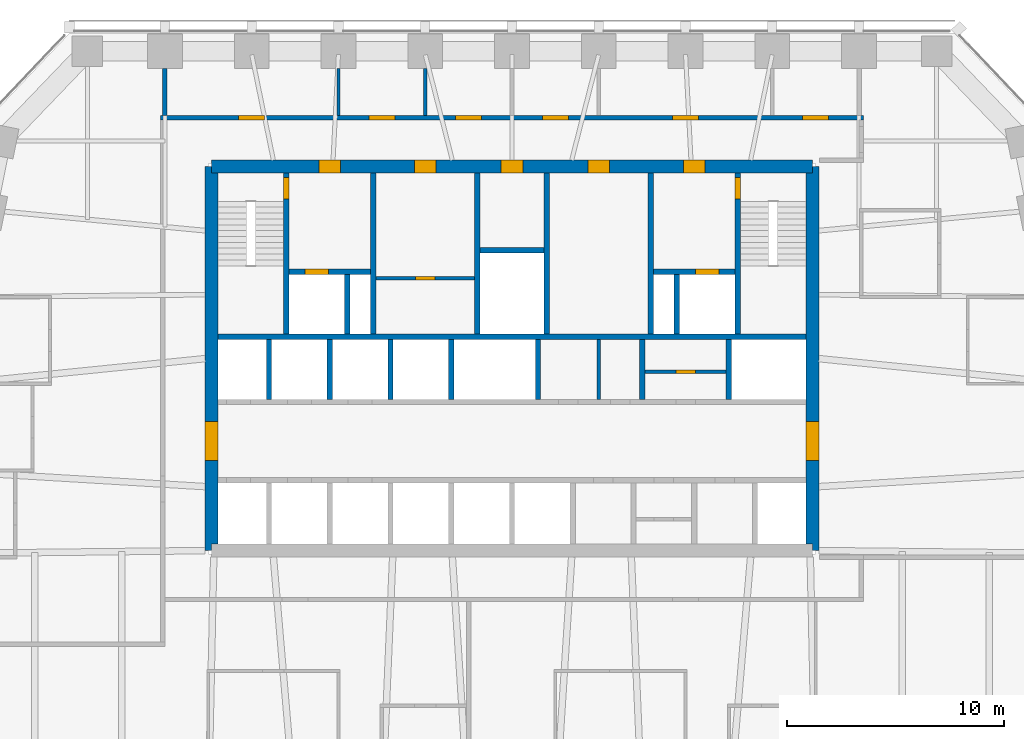
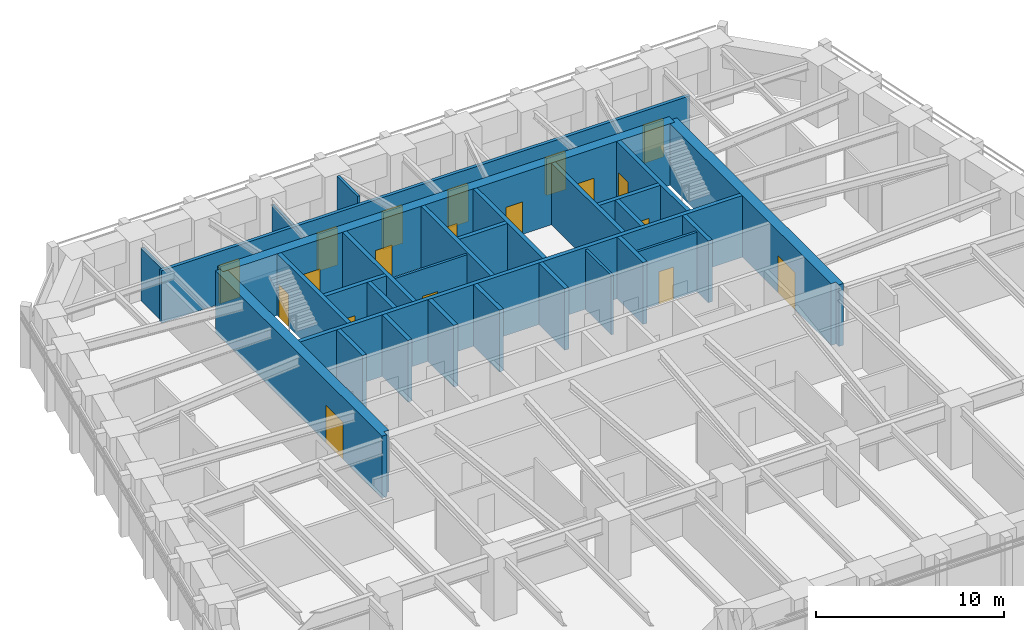
# One storey, part 7 of 10: 29 walls, 19 doors, 19 openings.
"""IFC4 building model written with IfcOpenShell, lengths in metres."""

from ifc_helpers import new_model, si_unit, direction, frame, frame_2d, origin, place, context, subcontext, project, spatial, polyline, rectangle, outline, extrude, material, layer, layer_set, type_object, element, fill, save


model = new_model("IFC4")

# Units and contexts
model_context = context("Model", 3, precision=1e-05, world=origin(), true_north=direction((0.0, 1.0)))
body_context = subcontext(model_context, "Body", "Model", "MODEL_VIEW")
ifc_project = project(units=[si_unit("LENGTHUNIT", "METRE"), si_unit("AREAUNIT", "SQUARE_METRE"), si_unit("VOLUMEUNIT", "CUBIC_METRE"), si_unit("PLANEANGLEUNIT", "RADIAN"), si_unit("MASSUNIT", "GRAM", prefix="KILO")], contexts=[model_context])

# Site, building, storey
site_placement = place(None, origin())
site = spatial("IfcSite", under=ifc_project, at=site_placement, CompositionType="ELEMENT")
building_placement = place(site_placement, origin())
building = spatial("IfcBuilding", under=site, at=building_placement, Name="Isbrekke Arena Tower", CompositionType="ELEMENT")
storey_placement = place(building_placement, frame((0.0, 0.0, 230.0)))
storey = spatial("IfcBuildingStorey", under=building, at=storey_placement, Name="L53", CompositionType="ELEMENT", Elevation=230.0)

# Wall, opening, door
ifc_material_1 = material(Name="Concrete B55 (C55/67)", Category="concrete")
ifc_layer_1 = layer(ifc_material_1, 0.60009765625)
ifc_layer_set_1 = layer_set([ifc_layer_1], Name="CW4 CORE WALL 600")
wall_type_1 = type_object("IfcWallType", Name="CW4 CORE WALL 600", PredefinedType="SHEAR", material=ifc_layer_set_1)
wall_1_placement = place(storey_placement, frame((13.85009765625, 6.14990234375, 0.0), z_axis=(0.0, 0.0, 1.0), x_axis=(0.0, 1.0, 0.0)))
wall_1 = element("IfcWall", 1, at=wall_1_placement, inside=storey, type_object=wall_type_1, Name="Core wall E L53", PredefinedType="SHEAR", context=body_context, shape_type="SweptSolid", body=[
    extrude(outline(polyline([(0.0, -0.300048828125), (17.7001953125, -0.300048828125), (17.7001953125, 0.0), (17.400146484375, 0.0), (17.400146484375, 0.300048828125), (0.300048828125, 0.300048828125), (0.300048828125, 0.0), (0.0, 0.0), (0.0, -0.300048828125)])), origin(), (0.0, 0.0, 1.0), 4.0),
])
opening_1_placement = place(wall_1_placement, frame((4.14990234375, 0.0, 0.0)))
opening_1 = element("IfcOpeningElement", 2, at=opening_1_placement, cuts=wall_1, Name="Opening D1", PredefinedType="OPENING", context=body_context, shape_type="SweptSolid", body=[
    extrude(rectangle(XDim=1.800048828125, YDim=2.39990234375, at=frame_2d((0.89990234375, 1.199951171875))), frame((0.0, 0.31494140625, 0.0), z_axis=(0.0, -1.0, 0.0), x_axis=(1.0, 0.0, 0.0)), (0.0, 0.0, 1.0), 0.6298828125),
])
ifc_material_2 = material(Name="Steel-framed glazed fire door", Category="steel")
door_type_1 = type_object("IfcDoorType", Name="D1 CORE LOBBY DOOR 1800 x 2400", OperationType="DOUBLE_DOOR_SINGLE_SWING", PredefinedType="DOOR", material=ifc_material_2)
door_1_placement = place(opening_1_placement, origin())
door_1 = element("IfcDoor", 3, at=door_1_placement, inside=storey, type_object=door_type_1, Name="D1 lift lobby door east L53", OperationType="DOUBLE_DOOR_SINGLE_SWING", OverallHeight=2.39990234375, OverallWidth=1.800048828125, PredefinedType="DOOR", context=body_context, shape_type="SweptSolid", body=[
    extrude(rectangle(XDim=1.800048828125, YDim=2.39990234375, at=frame_2d((0.89990234375, 1.199951171875))), frame((0.0, 0.2998046875, 0.0), z_axis=(0.0, -1.0, 0.0), x_axis=(1.0, 0.0, 0.0)), (0.0, 0.0, 1.0), 0.599609375),
])
fill(opening_1, door_1)

# Wall, openings, doors
wall_2_placement = place(storey_placement, frame((13.85009765625, 23.85009765625, 0.0), z_axis=(0.0, 0.0, 1.0), x_axis=(-1.0, 0.0, 0.0)))
wall_2 = element("IfcWall", 4, at=wall_2_placement, inside=storey, type_object=wall_type_1, Name="Core wall N L53", PredefinedType="SHEAR", context=body_context, shape_type="SweptSolid", body=[
    extrude(rectangle(XDim=27.7001953125, YDim=0.60009765625, at=frame_2d((13.85009765625, 0.0))), origin(), (0.0, 0.0, 1.0), 4.0),
])
opening_2_placement = place(wall_2_placement, frame((21.75, 0.0, 0.0)))
opening_2 = element("IfcOpeningElement", 5, at=opening_2_placement, cuts=wall_2, Name="Opening D3", PredefinedType="OPENING", context=body_context, shape_type="SweptSolid", body=[
    extrude(rectangle(XDim=1.0, YDim=2.10009765625, at=frame_2d((0.5, 1.050048828125))), frame((0.0, 0.31494140625, 0.0), z_axis=(0.0, -1.0, 0.0), x_axis=(1.0, 0.0, 0.0)), (0.0, 0.0, 1.0), 0.6298828125),
])
opening_3_placement = place(wall_2_placement, frame((4.949951171875, 0.0, 0.0)))
opening_3 = element("IfcOpeningElement", 6, at=opening_3_placement, cuts=wall_2, Name="Opening D3", PredefinedType="OPENING", context=body_context, shape_type="SweptSolid", body=[
    extrude(rectangle(XDim=1.0, YDim=2.10009765625, at=frame_2d((0.5, 1.050048828125))), frame((0.0, 0.31494140625, 0.0), z_axis=(0.0, -1.0, 0.0), x_axis=(1.0, 0.0, 0.0)), (0.0, 0.0, 1.0), 0.6298828125),
])
opening_4_placement = place(wall_2_placement, frame((17.35009765625, 0.0, 0.0)))
opening_4 = element("IfcOpeningElement", 7, at=opening_4_placement, cuts=wall_2, Name="Opening D4", PredefinedType="OPENING", context=body_context, shape_type="SweptSolid", body=[
    extrude(rectangle(XDim=1.0, YDim=2.10009765625, at=frame_2d((0.5, 1.050048828125))), frame((0.0, 0.31494140625, 0.0), z_axis=(0.0, -1.0, 0.0), x_axis=(1.0, 0.0, 0.0)), (0.0, 0.0, 1.0), 0.6298828125),
])
opening_5_placement = place(wall_2_placement, frame((13.35009765625, 0.0, 0.0)))
opening_5 = element("IfcOpeningElement", 8, at=opening_5_placement, cuts=wall_2, Name="Opening D4", PredefinedType="OPENING", context=body_context, shape_type="SweptSolid", body=[
    extrude(rectangle(XDim=1.0, YDim=2.10009765625, at=frame_2d((0.5, 1.050048828125))), frame((0.0, 0.31494140625, 0.0), z_axis=(0.0, -1.0, 0.0), x_axis=(1.0, 0.0, 0.0)), (0.0, 0.0, 1.0), 0.6298828125),
])
opening_6_placement = place(wall_2_placement, frame((9.35009765625, 0.0, 0.0)))
opening_6 = element("IfcOpeningElement", 9, at=opening_6_placement, cuts=wall_2, Name="Opening D4", PredefinedType="OPENING", context=body_context, shape_type="SweptSolid", body=[
    extrude(rectangle(XDim=1.0, YDim=2.10009765625, at=frame_2d((0.5, 1.050048828125))), frame((0.0, 0.31494140625, 0.0), z_axis=(0.0, -1.0, 0.0), x_axis=(1.0, 0.0, 0.0)), (0.0, 0.0, 1.0), 0.6298828125),
])
ifc_material_3 = material(Name="Steel fire door", Category="steel")
door_type_2 = type_object("IfcDoorType", Name="D3 FIRE LOBBY DOOR 1000 x 2100", OperationType="SINGLE_SWING_RIGHT", PredefinedType="DOOR", material=ifc_material_3)
door_2_placement = place(opening_2_placement, origin())
door_2 = element("IfcDoor", 10, at=door_2_placement, inside=storey, type_object=door_type_2, Name="D3 fire-fighting lobby door L53", OperationType="SINGLE_SWING_RIGHT", OverallHeight=2.10009765625, OverallWidth=1.0, PredefinedType="DOOR", context=body_context, shape_type="SweptSolid", body=[
    extrude(rectangle(XDim=1.0, YDim=2.10009765625, at=frame_2d((0.5, 1.050048828125))), frame((0.0, 0.2998046875, 0.0), z_axis=(0.0, -1.0, 0.0), x_axis=(1.0, 0.0, 0.0)), (0.0, 0.0, 1.0), 0.599609375),
])
fill(opening_2, door_2)
door_3_placement = place(opening_3_placement, origin())
door_3 = element("IfcDoor", 11, at=door_3_placement, inside=storey, type_object=door_type_2, Name="D3 fire-fighting lobby door L53", OperationType="SINGLE_SWING_RIGHT", OverallHeight=2.10009765625, OverallWidth=1.0, PredefinedType="DOOR", context=body_context, shape_type="SweptSolid", body=[
    extrude(rectangle(XDim=1.0, YDim=2.10009765625, at=frame_2d((0.5, 1.050048828125))), frame((0.0, 0.2998046875, 0.0), z_axis=(0.0, -1.0, 0.0), x_axis=(1.0, 0.0, 0.0)), (0.0, 0.0, 1.0), 0.599609375),
])
fill(opening_3, door_3)
ifc_material_4 = material(Name="Timber door", Category="wood")
door_type_3 = type_object("IfcDoorType", Name="D4 WC DOOR 1000 x 2100", OperationType="SINGLE_SWING_LEFT", PredefinedType="DOOR", material=ifc_material_4)
door_4_placement = place(opening_4_placement, origin())
door_4 = element("IfcDoor", 12, at=door_4_placement, inside=storey, type_object=door_type_3, Name="D4 wc female door L53", OperationType="SINGLE_SWING_LEFT", OverallHeight=2.10009765625, OverallWidth=1.0, PredefinedType="DOOR", context=body_context, shape_type="SweptSolid", body=[
    extrude(rectangle(XDim=1.0, YDim=2.10009765625, at=frame_2d((0.5, 1.050048828125))), frame((0.0, 0.2998046875, 0.0), z_axis=(0.0, -1.0, 0.0), x_axis=(1.0, 0.0, 0.0)), (0.0, 0.0, 1.0), 0.599609375),
])
fill(opening_4, door_4)
door_5_placement = place(opening_5_placement, origin())
door_5 = element("IfcDoor", 13, at=door_5_placement, inside=storey, type_object=door_type_3, Name="D4 accessible wc door L53", OperationType="SINGLE_SWING_LEFT", OverallHeight=2.10009765625, OverallWidth=1.0, PredefinedType="DOOR", context=body_context, shape_type="SweptSolid", body=[
    extrude(rectangle(XDim=1.0, YDim=2.10009765625, at=frame_2d((0.5, 1.050048828125))), frame((0.0, 0.2998046875, 0.0), z_axis=(0.0, -1.0, 0.0), x_axis=(1.0, 0.0, 0.0)), (0.0, 0.0, 1.0), 0.599609375),
])
fill(opening_5, door_5)
door_6_placement = place(opening_6_placement, origin())
door_6 = element("IfcDoor", 14, at=door_6_placement, inside=storey, type_object=door_type_3, Name="D4 wc male door L53", OperationType="SINGLE_SWING_LEFT", OverallHeight=2.10009765625, OverallWidth=1.0, PredefinedType="DOOR", context=body_context, shape_type="SweptSolid", body=[
    extrude(rectangle(XDim=1.0, YDim=2.10009765625, at=frame_2d((0.5, 1.050048828125))), frame((0.0, 0.2998046875, 0.0), z_axis=(0.0, -1.0, 0.0), x_axis=(1.0, 0.0, 0.0)), (0.0, 0.0, 1.0), 0.599609375),
])
fill(opening_6, door_6)

# Wall, opening, door
wall_3_placement = place(storey_placement, frame((-13.85009765625, 23.85009765625, 0.0), z_axis=(0.0, 0.0, 1.0), x_axis=(0.0, -1.0, 0.0)))
wall_3 = element("IfcWall", 15, at=wall_3_placement, inside=storey, type_object=wall_type_1, Name="Core wall W L53", PredefinedType="SHEAR", context=body_context, shape_type="SweptSolid", body=[
    extrude(outline(polyline([(0.0, -0.300048828125), (17.7001953125, -0.300048828125), (17.7001953125, 0.0), (17.400146484375, 0.0), (17.400146484375, 0.300048828125), (0.300048828125, 0.300048828125), (0.300048828125, 0.0), (0.0, 0.0), (0.0, -0.300048828125)])), origin(), (0.0, 0.0, 1.0), 4.0),
])
opening_7_placement = place(wall_3_placement, frame((11.75, 0.0, 0.0)))
opening_7 = element("IfcOpeningElement", 16, at=opening_7_placement, cuts=wall_3, Name="Opening D1", PredefinedType="OPENING", context=body_context, shape_type="SweptSolid", body=[
    extrude(rectangle(XDim=1.800048828125, YDim=2.39990234375, at=frame_2d((0.89990234375, 1.199951171875))), frame((0.0, 0.31494140625, 0.0), z_axis=(0.0, -1.0, 0.0), x_axis=(1.0, 0.0, 0.0)), (0.0, 0.0, 1.0), 0.6298828125),
])
door_7_placement = place(opening_7_placement, origin())
door_7 = element("IfcDoor", 17, at=door_7_placement, inside=storey, type_object=door_type_1, Name="D1 lift lobby door west L53", OperationType="DOUBLE_DOOR_SINGLE_SWING", OverallHeight=2.39990234375, OverallWidth=1.800048828125, PredefinedType="DOOR", context=body_context, shape_type="SweptSolid", body=[
    extrude(rectangle(XDim=1.800048828125, YDim=2.39990234375, at=frame_2d((0.89990234375, 1.199951171875))), frame((0.0, 0.2998046875, 0.0), z_axis=(0.0, -1.0, 0.0), x_axis=(1.0, 0.0, 0.0)), (0.0, 0.0, 1.0), 0.599609375),
])
fill(opening_7, door_7)

# Walls
ifc_material_5 = material(Name="Concrete B45 (C45/55)", Category="concrete")
ifc_layer_2 = layer(ifc_material_5, 0.25)
ifc_layer_set_2 = layer_set([ifc_layer_2], Name="CW6 SHAFT WALL 250")
wall_type_2 = type_object("IfcWallType", Name="CW6 SHAFT WALL 250", PredefinedType="SHEAR", material=ifc_layer_set_2)
wall_4_placement = place(storey_placement, frame((-13.550048828125, 16.0, 0.0), z_axis=(0.0, 0.0, 1.0), x_axis=(1.0, 0.0, 0.0)))
element("IfcWall", 18, at=wall_4_placement, inside=storey, type_object=wall_type_2, Name="Core wall NB L53", PredefinedType="SHEAR", context=body_context, shape_type="SweptSolid", body=[
    extrude(rectangle(XDim=27.10009765625, YDim=0.25, at=frame_2d((13.550048828125, 0.0))), origin(), (0.0, 0.0, 1.0), 4.0),
])
for number, where, z_axis, x_axis, name in (
    (19, (-11.199951171875, 13.125, 0.0), (0.0, 0.0, 1.0), (0.0, 1.0, 0.0), "Core wall SN01 L53"),
    (20, (-8.39990234375, 13.125, 0.0), (0.0, 0.0, 1.0), (0.0, 1.0, 0.0), "Core wall SN02 L53"),
    (21, (-5.60009765625, 13.125, 0.0), (0.0, 0.0, 1.0), (0.0, 1.0, 0.0), "Core wall SN03 L53"),
    (22, (-2.800048828125, 13.125, 0.0), (0.0, 0.0, 1.0), (0.0, 1.0, 0.0), "Core wall SN04 L53"),
    (23, (1.199951171875, 13.125, 0.0), (0.0, 0.0, 1.0), (0.0, 1.0, 0.0), "Core wall SN05 L53"),
    (24, (6.0, 13.125, 0.0), (0.0, 0.0, 1.0), (0.0, 1.0, 0.0), "Core wall SN06 L53"),
    (25, (10.0, 13.125, 0.0), (0.0, 0.0, 1.0), (0.0, 1.0, 0.0), "Core wall SN07 L53"),
):
    element("IfcWall", number, at=place(storey_placement, frame(where, z_axis=z_axis, x_axis=x_axis)), inside=storey, type_object=wall_type_2, Name=name, PredefinedType="SHEAR", context=body_context, shape_type="SweptSolid", body=[
        extrude(rectangle(XDim=2.75, YDim=0.25, at=frame_2d((1.375, 0.0))), origin(), (0.0, 0.0, 1.0), 4.0),
    ])

# Wall, opening, door
wall_5_placement = place(storey_placement, frame((-10.39990234375, 16.125, 0.0), z_axis=(0.0, 0.0, 1.0), x_axis=(0.0, 1.0, 0.0)))
wall_5 = element("IfcWall", 26, at=wall_5_placement, inside=storey, type_object=wall_type_2, Name="Core wall NV01 L53", PredefinedType="SHEAR", context=body_context, shape_type="SweptSolid", body=[
    extrude(rectangle(XDim=7.425048828125, YDim=0.25, at=frame_2d((3.71240234375, 0.0))), origin(), (0.0, 0.0, 1.0), 4.0),
])
opening_8_placement = place(wall_5_placement, frame((6.22509765625, 0.0, 0.0)))
opening_8 = element("IfcOpeningElement", 27, at=opening_8_placement, cuts=wall_5, Name="Opening D2", PredefinedType="OPENING", context=body_context, shape_type="SweptSolid", body=[
    extrude(rectangle(XDim=1.0, YDim=2.10009765625, at=frame_2d((0.5, 1.050048828125))), frame((0.0, 0.139892578125, 0.0), z_axis=(0.0, -1.0, 0.0), x_axis=(1.0, 0.0, 0.0)), (0.0, 0.0, 1.0), 0.27978515625),
])
ifc_material_6 = material(Name="Steel fire door", Category="steel")
door_type_4 = type_object("IfcDoorType", Name="D2 STAIR DOOR 1000 x 2100", OperationType="SINGLE_SWING_LEFT", PredefinedType="DOOR", material=ifc_material_6)
door_8_placement = place(opening_8_placement, origin())
door_8 = element("IfcDoor", 28, at=door_8_placement, inside=storey, type_object=door_type_4, Name="D2 stair door ST1 L53", OperationType="SINGLE_SWING_LEFT", OverallHeight=2.10009765625, OverallWidth=1.0, PredefinedType="DOOR", context=body_context, shape_type="SweptSolid", body=[
    extrude(rectangle(XDim=1.0, YDim=2.10009765625, at=frame_2d((0.5, 1.050048828125))), frame((0.0, 0.124755859375, 0.0), z_axis=(0.0, -1.0, 0.0), x_axis=(1.0, 0.0, 0.0)), (0.0, 0.0, 1.0), 0.24951171875),
])
fill(opening_8, door_8)

# Walls
for number, where, z_axis, x_axis, name in (
    (29, (-6.39990234375, 16.125, 0.0), (0.0, 0.0, 1.0), (0.0, 1.0, 0.0), "Core wall NV02 L53"),
    (30, (-1.60009765625, 16.125, 0.0), (0.0, 0.0, 1.0), (0.0, 1.0, 0.0), "Core wall NV03 L53"),
    (31, (1.60009765625, 16.125, 0.0), (0.0, 0.0, 1.0), (0.0, 1.0, 0.0), "Core wall NV04 L53"),
    (32, (6.39990234375, 16.125, 0.0), (0.0, 0.0, 1.0), (0.0, 1.0, 0.0), "Core wall NV05 L53"),
):
    element("IfcWall", number, at=place(storey_placement, frame(where, z_axis=z_axis, x_axis=x_axis)), inside=storey, type_object=wall_type_2, Name=name, PredefinedType="SHEAR", context=body_context, shape_type="SweptSolid", body=[
        extrude(rectangle(XDim=7.425048828125, YDim=0.25, at=frame_2d((3.71240234375, 0.0))), origin(), (0.0, 0.0, 1.0), 4.0),
    ])

# Wall, opening, door
wall_6_placement = place(storey_placement, frame((10.39990234375, 16.125, 0.0), z_axis=(0.0, 0.0, 1.0), x_axis=(0.0, 1.0, 0.0)))
wall_6 = element("IfcWall", 33, at=wall_6_placement, inside=storey, type_object=wall_type_2, Name="Core wall NV06 L53", PredefinedType="SHEAR", context=body_context, shape_type="SweptSolid", body=[
    extrude(rectangle(XDim=7.425048828125, YDim=0.25, at=frame_2d((3.71240234375, 0.0))), origin(), (0.0, 0.0, 1.0), 4.0),
])
opening_9_placement = place(wall_6_placement, frame((6.22509765625, 0.0, 0.0)))
opening_9 = element("IfcOpeningElement", 34, at=opening_9_placement, cuts=wall_6, Name="Opening D2", PredefinedType="OPENING", context=body_context, shape_type="SweptSolid", body=[
    extrude(rectangle(XDim=1.0, YDim=2.10009765625, at=frame_2d((0.5, 1.050048828125))), frame((0.0, 0.139892578125, 0.0), z_axis=(0.0, -1.0, 0.0), x_axis=(1.0, 0.0, 0.0)), (0.0, 0.0, 1.0), 0.27978515625),
])
door_9_placement = place(opening_9_placement, origin())
door_9 = element("IfcDoor", 35, at=door_9_placement, inside=storey, type_object=door_type_4, Name="D2 stair door ST2 L53", OperationType="SINGLE_SWING_LEFT", OverallHeight=2.10009765625, OverallWidth=1.0, PredefinedType="DOOR", context=body_context, shape_type="SweptSolid", body=[
    extrude(rectangle(XDim=1.0, YDim=2.10009765625, at=frame_2d((0.5, 1.050048828125))), frame((0.0, 0.124755859375, 0.0), z_axis=(0.0, -1.0, 0.0), x_axis=(1.0, 0.0, 0.0)), (0.0, 0.0, 1.0), 0.24951171875),
])
fill(opening_9, door_9)

wall_7_placement = place(storey_placement, frame((-10.27490234375, 19.0, 0.0), z_axis=(0.0, 0.0, 1.0), x_axis=(1.0, 0.0, 0.0)))
wall_7 = element("IfcWall", 36, at=wall_7_placement, inside=storey, type_object=wall_type_2, Name="Core wall NFW L53", PredefinedType="SHEAR", context=body_context, shape_type="SweptSolid", body=[
    extrude(rectangle(XDim=3.75, YDim=0.25, at=frame_2d((1.875, 0.0))), origin(), (0.0, 0.0, 1.0), 4.0),
])
opening_10_placement = place(wall_7_placement, frame((0.72509765625, 0.0, 0.0)))
opening_10 = element("IfcOpeningElement", 37, at=opening_10_placement, cuts=wall_7, Name="Opening LD2", PredefinedType="OPENING", context=body_context, shape_type="SweptSolid", body=[
    extrude(rectangle(XDim=1.10009765625, YDim=2.10009765625, at=frame_2d((0.550048828125, 1.050048828125))), frame((0.0, 0.139892578125, 0.0), z_axis=(0.0, -1.0, 0.0), x_axis=(1.0, 0.0, 0.0)), (0.0, 0.0, 1.0), 0.27978515625),
])
ifc_material_7 = material(Name="Stainless steel lift landing door", Category="steel")
door_type_5 = type_object("IfcDoorType", Name="LD2 FIRE-FIGHTING LIFT LANDING DOOR 1100 x 2100", OperationType="SLIDING_TO_RIGHT", PredefinedType="DOOR", material=ifc_material_7)
door_10_placement = place(opening_10_placement, origin())
door_10 = element("IfcDoor", 38, at=door_10_placement, inside=storey, type_object=door_type_5, Name="LD2 lift landing door LF L53", OperationType="SLIDING_TO_RIGHT", OverallHeight=2.10009765625, OverallWidth=1.10009765625, PredefinedType="DOOR", context=body_context, shape_type="SweptSolid", body=[
    extrude(rectangle(XDim=1.10009765625, YDim=2.10009765625, at=frame_2d((0.550048828125, 1.050048828125))), frame((0.0, 0.124755859375, 0.0), z_axis=(0.0, -1.0, 0.0), x_axis=(1.0, 0.0, 0.0)), (0.0, 0.0, 1.0), 0.24951171875),
])
fill(opening_10, door_10)

wall_8_placement = place(storey_placement, frame((6.52490234375, 19.0, 0.0), z_axis=(0.0, 0.0, 1.0), x_axis=(1.0, 0.0, 0.0)))
wall_8 = element("IfcWall", 39, at=wall_8_placement, inside=storey, type_object=wall_type_2, Name="Core wall NFE L53", PredefinedType="SHEAR", context=body_context, shape_type="SweptSolid", body=[
    extrude(rectangle(XDim=3.75, YDim=0.25, at=frame_2d((1.875, 0.0))), origin(), (0.0, 0.0, 1.0), 4.0),
])
opening_11_placement = place(wall_8_placement, frame((1.925048828125, 0.0, 0.0)))
opening_11 = element("IfcOpeningElement", 40, at=opening_11_placement, cuts=wall_8, Name="Opening LD2", PredefinedType="OPENING", context=body_context, shape_type="SweptSolid", body=[
    extrude(rectangle(XDim=1.10009765625, YDim=2.10009765625, at=frame_2d((0.550048828125, 1.050048828125))), frame((0.0, 0.139892578125, 0.0), z_axis=(0.0, -1.0, 0.0), x_axis=(1.0, 0.0, 0.0)), (0.0, 0.0, 1.0), 0.27978515625),
])
door_11_placement = place(opening_11_placement, origin())
door_11 = element("IfcDoor", 41, at=door_11_placement, inside=storey, type_object=door_type_5, Name="LD2 lift landing door LF L53", OperationType="SLIDING_TO_RIGHT", OverallHeight=2.10009765625, OverallWidth=1.10009765625, PredefinedType="DOOR", context=body_context, shape_type="SweptSolid", body=[
    extrude(rectangle(XDim=1.10009765625, YDim=2.10009765625, at=frame_2d((0.550048828125, 1.050048828125))), frame((0.0, 0.124755859375, 0.0), z_axis=(0.0, -1.0, 0.0), x_axis=(1.0, 0.0, 0.0)), (0.0, 0.0, 1.0), 0.24951171875),
])
fill(opening_11, door_11)

# Walls
for number, where, z_axis, x_axis, name in (
    (42, (-7.60009765625, 16.125, 0.0), (0.0, 0.0, 1.0), (0.0, 1.0, 0.0), "Core wall NFS1 L53"),
    (43, (7.60009765625, 16.125, 0.0), (0.0, 0.0, 1.0), (0.0, 1.0, 0.0), "Core wall NFS2 L53"),
):
    element("IfcWall", number, at=place(storey_placement, frame(where, z_axis=z_axis, x_axis=x_axis)), inside=storey, type_object=wall_type_2, Name=name, PredefinedType="SHEAR", context=body_context, shape_type="SweptSolid", body=[
        extrude(rectangle(XDim=2.75, YDim=0.25, at=frame_2d((1.375, 0.0))), origin(), (0.0, 0.0, 1.0), 4.0),
    ])
wall_9_placement = place(storey_placement, frame((-1.47509765625, 20.0, 0.0), z_axis=(0.0, 0.0, 1.0), x_axis=(1.0, 0.0, 0.0)))
element("IfcWall", 44, at=wall_9_placement, inside=storey, type_object=wall_type_2, Name="Core wall NWC L53", PredefinedType="SHEAR", context=body_context, shape_type="SweptSolid", body=[
    extrude(rectangle(XDim=2.9501953125, YDim=0.25, at=frame_2d((1.47509765625, 0.0))), origin(), (0.0, 0.0, 1.0), 4.0),
])
ifc_material_8 = material(Name="Gypsum board partition on steel studs", Category="steel")
ifc_layer_3 = layer(ifc_material_8, 0.14990234375)
ifc_layer_set_3 = layer_set([ifc_layer_3], Name="IW1 PARTITION 150")
wall_type_3 = type_object("IfcWallType", Name="IW1 PARTITION 150", PredefinedType="PARTITIONING", material=ifc_layer_set_3)
wall_10_placement = place(storey_placement, frame((-8.0, 26.199951171875, 0.0), z_axis=(0.0, 0.0, 1.0), x_axis=(0.0, 1.0, 0.0)))
element("IfcWall", 45, at=wall_10_placement, inside=storey, type_object=wall_type_3, Name="IW1 partition 150 L53", PredefinedType="PARTITIONING", context=body_context, shape_type="SweptSolid", body=[
    extrude(rectangle(XDim=2.175048828125, YDim=0.14990234375, at=frame_2d((1.08740234375, 0.0))), origin(), (0.0, 0.0, 1.0), 3.39990234375),
])
wall_11_placement = place(storey_placement, frame((-4.0, 26.199951171875, 0.0), z_axis=(0.0, 0.0, 1.0), x_axis=(0.0, 1.0, 0.0)))
element("IfcWall", 46, at=wall_11_placement, inside=storey, type_object=wall_type_3, Name="IW1 partition 150 L53", PredefinedType="PARTITIONING", context=body_context, shape_type="SweptSolid", body=[
    extrude(rectangle(XDim=2.175048828125, YDim=0.14990234375, at=frame_2d((1.08740234375, 0.0))), origin(), (0.0, 0.0, 1.0), 3.85009765625),
])

# Wall, openings, doors
ifc_material_9 = material(Name="Gypsum board fire-cell wall on steel studs, two layers each side", Category="steel")
ifc_layer_4 = layer(ifc_material_9, 0.199951171875)
ifc_layer_set_4 = layer_set([ifc_layer_4], Name="IW3 FIRE-CELL WALL 200")
wall_type_4 = type_object("IfcWallType", Name="IW3 FIRE-CELL WALL 200", PredefinedType="PARTITIONING", material=ifc_layer_set_4)
wall_12_placement = place(storey_placement, frame((-16.199951171875, 26.10009765625, 0.0), z_axis=(0.0, 0.0, 1.0), x_axis=(1.0, 0.0, 0.0)))
wall_12 = element("IfcWall", 47, at=wall_12_placement, inside=storey, type_object=wall_type_4, Name="IW3 fire-cell wall 200 L53", PredefinedType="PARTITIONING", context=body_context, shape_type="SweptSolid", body=[
    extrude(rectangle(XDim=32.39990234375, YDim=0.199951171875, at=frame_2d((16.199951171875, 0.0))), origin(), (0.0, 0.0, 1.0), 3.39990234375),
])
opening_12_placement = place(wall_12_placement, frame((3.60009765625, 0.0, 0.0)))
opening_12 = element("IfcOpeningElement", 48, at=opening_12_placement, cuts=wall_12, Name="Opening D12", PredefinedType="OPENING", context=body_context, shape_type="SweptSolid", body=[
    extrude(rectangle(XDim=1.199951171875, YDim=2.39990234375, at=frame_2d((0.60009765625, 1.199951171875))), frame((0.0, 0.11474609375, 0.0), z_axis=(0.0, -1.0, 0.0), x_axis=(1.0, 0.0, 0.0)), (0.0, 0.0, 1.0), 0.229736328125),
])
opening_13_placement = place(wall_12_placement, frame((9.60009765625, 0.0, 0.0)))
opening_13 = element("IfcOpeningElement", 49, at=opening_13_placement, cuts=wall_12, Name="Opening D12", PredefinedType="OPENING", context=body_context, shape_type="SweptSolid", body=[
    extrude(rectangle(XDim=1.199951171875, YDim=2.39990234375, at=frame_2d((0.60009765625, 1.199951171875))), frame((0.0, 0.11474609375, 0.0), z_axis=(0.0, -1.0, 0.0), x_axis=(1.0, 0.0, 0.0)), (0.0, 0.0, 1.0), 0.229736328125),
])
opening_14_placement = place(wall_12_placement, frame((13.60009765625, 0.0, 0.0)))
opening_14 = element("IfcOpeningElement", 50, at=opening_14_placement, cuts=wall_12, Name="Opening D12", PredefinedType="OPENING", context=body_context, shape_type="SweptSolid", body=[
    extrude(rectangle(XDim=1.199951171875, YDim=2.39990234375, at=frame_2d((0.60009765625, 1.199951171875))), frame((0.0, 0.11474609375, 0.0), z_axis=(0.0, -1.0, 0.0), x_axis=(1.0, 0.0, 0.0)), (0.0, 0.0, 1.0), 0.229736328125),
])
opening_15_placement = place(wall_12_placement, frame((17.60009765625, 0.0, 0.0)))
opening_15 = element("IfcOpeningElement", 51, at=opening_15_placement, cuts=wall_12, Name="Opening D12", PredefinedType="OPENING", context=body_context, shape_type="SweptSolid", body=[
    extrude(rectangle(XDim=1.199951171875, YDim=2.39990234375, at=frame_2d((0.60009765625, 1.199951171875))), frame((0.0, 0.11474609375, 0.0), z_axis=(0.0, -1.0, 0.0), x_axis=(1.0, 0.0, 0.0)), (0.0, 0.0, 1.0), 0.229736328125),
])
opening_16_placement = place(wall_12_placement, frame((23.60009765625, 0.0, 0.0)))
opening_16 = element("IfcOpeningElement", 52, at=opening_16_placement, cuts=wall_12, Name="Opening D12", PredefinedType="OPENING", context=body_context, shape_type="SweptSolid", body=[
    extrude(rectangle(XDim=1.199951171875, YDim=2.39990234375, at=frame_2d((0.60009765625, 1.199951171875))), frame((0.0, 0.11474609375, 0.0), z_axis=(0.0, -1.0, 0.0), x_axis=(1.0, 0.0, 0.0)), (0.0, 0.0, 1.0), 0.229736328125),
])
opening_17_placement = place(wall_12_placement, frame((29.60009765625, 0.0, 0.0)))
opening_17 = element("IfcOpeningElement", 53, at=opening_17_placement, cuts=wall_12, Name="Opening D12", PredefinedType="OPENING", context=body_context, shape_type="SweptSolid", body=[
    extrude(rectangle(XDim=1.199951171875, YDim=2.39990234375, at=frame_2d((0.60009765625, 1.199951171875))), frame((0.0, 0.11474609375, 0.0), z_axis=(0.0, -1.0, 0.0), x_axis=(1.0, 0.0, 0.0)), (0.0, 0.0, 1.0), 0.229736328125),
])
ifc_material_10 = material(Name="Timber fire door with vision panel", Category="wood")
door_type_6 = type_object("IfcDoorType", Name="D12 SUITE ENTRANCE DOOR 1200 x 2400", OperationType="SINGLE_SWING_LEFT", PredefinedType="DOOR", material=ifc_material_10)
door_12_placement = place(opening_12_placement, origin())
door_12 = element("IfcDoor", 54, at=door_12_placement, inside=storey, type_object=door_type_6, Name="D12 meeting room door L53", OperationType="SINGLE_SWING_LEFT", OverallHeight=2.39990234375, OverallWidth=1.199951171875, PredefinedType="DOOR", context=body_context, shape_type="SweptSolid", body=[
    extrude(rectangle(XDim=1.199951171875, YDim=2.39990234375, at=frame_2d((0.60009765625, 1.199951171875))), frame((0.0, 0.099609375, 0.0), z_axis=(0.0, -1.0, 0.0), x_axis=(1.0, 0.0, 0.0)), (0.0, 0.0, 1.0), 0.199462890625),
])
fill(opening_12, door_12)
door_13_placement = place(opening_13_placement, origin())
door_13 = element("IfcDoor", 55, at=door_13_placement, inside=storey, type_object=door_type_6, Name="D12 print room door L53", OperationType="SINGLE_SWING_LEFT", OverallHeight=2.39990234375, OverallWidth=1.199951171875, PredefinedType="DOOR", context=body_context, shape_type="SweptSolid", body=[
    extrude(rectangle(XDim=1.199951171875, YDim=2.39990234375, at=frame_2d((0.60009765625, 1.199951171875))), frame((0.0, 0.099609375, 0.0), z_axis=(0.0, -1.0, 0.0), x_axis=(1.0, 0.0, 0.0)), (0.0, 0.0, 1.0), 0.199462890625),
])
fill(opening_13, door_13)
door_14_placement = place(opening_14_placement, origin())
door_14 = element("IfcDoor", 56, at=door_14_placement, inside=storey, type_object=door_type_6, Name="D12 focus room door L53", OperationType="SINGLE_SWING_LEFT", OverallHeight=2.39990234375, OverallWidth=1.199951171875, PredefinedType="DOOR", context=body_context, shape_type="SweptSolid", body=[
    extrude(rectangle(XDim=1.199951171875, YDim=2.39990234375, at=frame_2d((0.60009765625, 1.199951171875))), frame((0.0, 0.099609375, 0.0), z_axis=(0.0, -1.0, 0.0), x_axis=(1.0, 0.0, 0.0)), (0.0, 0.0, 1.0), 0.199462890625),
])
fill(opening_14, door_14)
door_15_placement = place(opening_15_placement, origin())
door_15 = element("IfcDoor", 57, at=door_15_placement, inside=storey, type_object=door_type_6, Name="D12 focus room door L53", OperationType="SINGLE_SWING_LEFT", OverallHeight=2.39990234375, OverallWidth=1.199951171875, PredefinedType="DOOR", context=body_context, shape_type="SweptSolid", body=[
    extrude(rectangle(XDim=1.199951171875, YDim=2.39990234375, at=frame_2d((0.60009765625, 1.199951171875))), frame((0.0, 0.099609375, 0.0), z_axis=(0.0, -1.0, 0.0), x_axis=(1.0, 0.0, 0.0)), (0.0, 0.0, 1.0), 0.199462890625),
])
fill(opening_15, door_15)
door_16_placement = place(opening_16_placement, origin())
door_16 = element("IfcDoor", 58, at=door_16_placement, inside=storey, type_object=door_type_6, Name="D12 meeting room door L53", OperationType="SINGLE_SWING_LEFT", OverallHeight=2.39990234375, OverallWidth=1.199951171875, PredefinedType="DOOR", context=body_context, shape_type="SweptSolid", body=[
    extrude(rectangle(XDim=1.199951171875, YDim=2.39990234375, at=frame_2d((0.60009765625, 1.199951171875))), frame((0.0, 0.099609375, 0.0), z_axis=(0.0, -1.0, 0.0), x_axis=(1.0, 0.0, 0.0)), (0.0, 0.0, 1.0), 0.199462890625),
])
fill(opening_16, door_16)
door_17_placement = place(opening_17_placement, origin())
door_17 = element("IfcDoor", 59, at=door_17_placement, inside=storey, type_object=door_type_6, Name="D12 store door L53", OperationType="SINGLE_SWING_LEFT", OverallHeight=2.39990234375, OverallWidth=1.199951171875, PredefinedType="DOOR", context=body_context, shape_type="SweptSolid", body=[
    extrude(rectangle(XDim=1.199951171875, YDim=2.39990234375, at=frame_2d((0.60009765625, 1.199951171875))), frame((0.0, 0.099609375, 0.0), z_axis=(0.0, -1.0, 0.0), x_axis=(1.0, 0.0, 0.0)), (0.0, 0.0, 1.0), 0.199462890625),
])
fill(opening_17, door_17)

# Wall
wall_13_placement = place(storey_placement, frame((-16.0, 26.199951171875, 0.0), z_axis=(0.0, 0.0, 1.0), x_axis=(0.0, 1.0, 0.0)))
element("IfcWall", 60, at=wall_13_placement, inside=storey, type_object=wall_type_4, Name="IW3 fire-cell wall 200 L53", PredefinedType="PARTITIONING", context=body_context, shape_type="SweptSolid", body=[
    extrude(rectangle(XDim=2.175048828125, YDim=0.199951171875, at=frame_2d((1.08740234375, 0.0))), origin(), (0.0, 0.0, 1.0), 3.39990234375),
])

# Wall, opening, door
ifc_material_11 = material(Name="Gypsum board fire-rated partition on steel studs, two layers each side", Category="steel")
ifc_layer_5 = layer(ifc_material_11, 0.14990234375)
ifc_layer_set_5 = layer_set([ifc_layer_5], Name="IW5 FIRE-RATED PARTITION 150")
wall_type_5 = type_object("IfcWallType", Name="IW5 FIRE-RATED PARTITION 150", PredefinedType="PARTITIONING", material=ifc_layer_set_5)
wall_14_placement = place(storey_placement, frame((-6.27490234375, 18.699951171875, 0.0), z_axis=(0.0, 0.0, 1.0), x_axis=(1.0, 0.0, 0.0)))
wall_14 = element("IfcWall", 61, at=wall_14_placement, inside=storey, type_object=wall_type_5, Name="IW5 fire-rated partition L53 cleaner's store F", PredefinedType="PARTITIONING", context=body_context, shape_type="SweptSolid", body=[
    extrude(rectangle(XDim=4.5498046875, YDim=0.14990234375, at=frame_2d((2.27490234375, 0.0))), origin(), (0.0, 0.0, 1.0), 3.85009765625),
])
opening_18_placement = place(wall_14_placement, frame((1.824951171875, 0.0, 0.0)))
opening_18 = element("IfcOpeningElement", 62, at=opening_18_placement, cuts=wall_14, Name="Opening D5", PredefinedType="OPENING", context=body_context, shape_type="SweptSolid", body=[
    extrude(rectangle(XDim=0.89990234375, YDim=2.10009765625, at=frame_2d((0.449951171875, 1.050048828125))), frame((0.0, 0.08984375, 0.0), z_axis=(0.0, -1.0, 0.0), x_axis=(1.0, 0.0, 0.0)), (0.0, 0.0, 1.0), 0.1796875),
])
ifc_material_12 = material(Name="Steel fire door", Category="steel")
door_type_7 = type_object("IfcDoorType", Name="D5 SERVICE DOOR 900 x 2100", OperationType="SINGLE_SWING_LEFT", PredefinedType="DOOR", material=ifc_material_12)
door_18_placement = place(opening_18_placement, origin())
door_18 = element("IfcDoor", 63, at=door_18_placement, inside=storey, type_object=door_type_7, Name="D5 cleaner's store door L53", OperationType="SINGLE_SWING_LEFT", OverallHeight=2.10009765625, OverallWidth=0.89990234375, PredefinedType="DOOR", context=body_context, shape_type="SweptSolid", body=[
    extrude(rectangle(XDim=0.89990234375, YDim=2.10009765625, at=frame_2d((0.449951171875, 1.050048828125))), frame((0.0, 0.07470703125, 0.0), z_axis=(0.0, -1.0, 0.0), x_axis=(1.0, 0.0, 0.0)), (0.0, 0.0, 1.0), 0.1494140625),
])
fill(opening_18, door_18)

# Wall
wall_15_placement = place(storey_placement, frame((4.0, 13.125, 0.0), z_axis=(0.0, 0.0, 1.0), x_axis=(0.0, 1.0, 0.0)))
element("IfcWall", 64, at=wall_15_placement, inside=storey, type_object=wall_type_5, Name="IW5 fire-rated partition L53 core service rooms 1", PredefinedType="PARTITIONING", context=body_context, shape_type="SweptSolid", body=[
    extrude(rectangle(XDim=2.75, YDim=0.14990234375, at=frame_2d((1.375, 0.0))), origin(), (0.0, 0.0, 1.0), 3.85009765625),
])

# Wall, opening, door
wall_16_placement = place(storey_placement, frame((6.125, 14.39990234375, 0.0), z_axis=(0.0, 0.0, 1.0), x_axis=(1.0, 0.0, 0.0)))
wall_16 = element("IfcWall", 65, at=wall_16_placement, inside=storey, type_object=wall_type_5, Name="IW5 fire-rated partition L53 core service rooms 2", PredefinedType="PARTITIONING", context=body_context, shape_type="SweptSolid", body=[
    extrude(rectangle(XDim=3.75, YDim=0.14990234375, at=frame_2d((1.875, 0.0))), origin(), (0.0, 0.0, 1.0), 3.85009765625),
])
opening_19_placement = place(wall_16_placement, frame((1.425048828125, 0.0, 0.0)))
opening_19 = element("IfcOpeningElement", 66, at=opening_19_placement, cuts=wall_16, Name="Opening D5", PredefinedType="OPENING", context=body_context, shape_type="SweptSolid", body=[
    extrude(rectangle(XDim=0.89990234375, YDim=2.10009765625, at=frame_2d((0.449951171875, 1.050048828125))), frame((0.0, 0.08984375, 0.0), z_axis=(0.0, -1.0, 0.0), x_axis=(1.0, 0.0, 0.0)), (0.0, 0.0, 1.0), 0.1796875),
])
door_19_placement = place(opening_19_placement, origin())
door_19 = element("IfcDoor", 67, at=door_19_placement, inside=storey, type_object=door_type_7, Name="D5 technical room door L53", OperationType="SINGLE_SWING_LEFT", OverallHeight=2.10009765625, OverallWidth=0.89990234375, PredefinedType="DOOR", context=body_context, shape_type="SweptSolid", body=[
    extrude(rectangle(XDim=0.89990234375, YDim=2.10009765625, at=frame_2d((0.449951171875, 1.050048828125))), frame((0.0, 0.07470703125, 0.0), z_axis=(0.0, -1.0, 0.0), x_axis=(1.0, 0.0, 0.0)), (0.0, 0.0, 1.0), 0.1494140625),
])
fill(opening_19, door_19)

save(model, "model.ifc")
